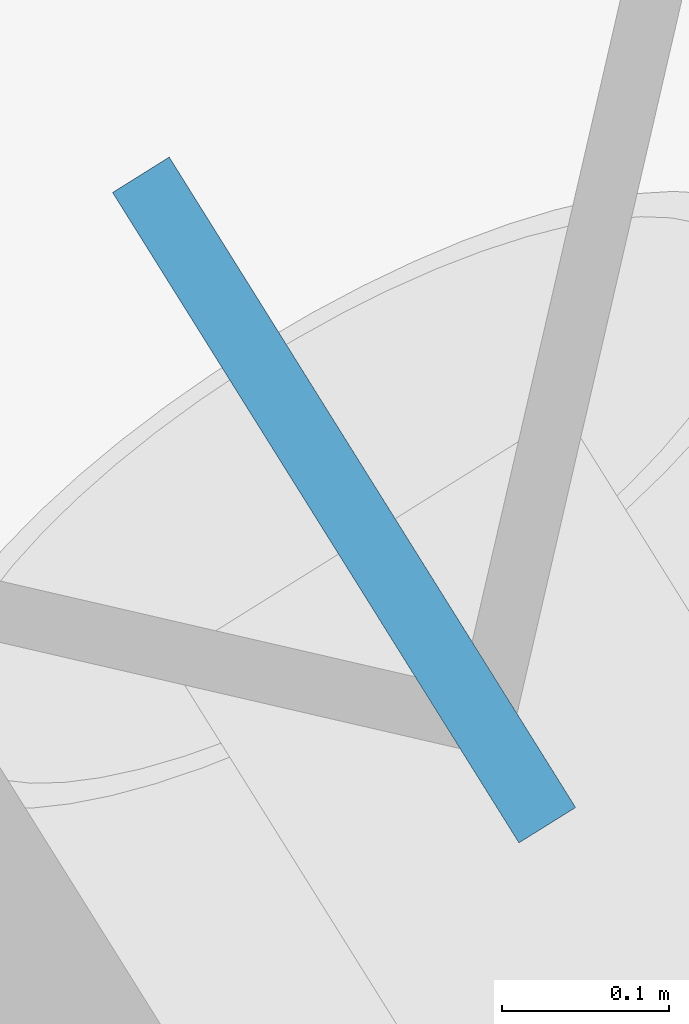
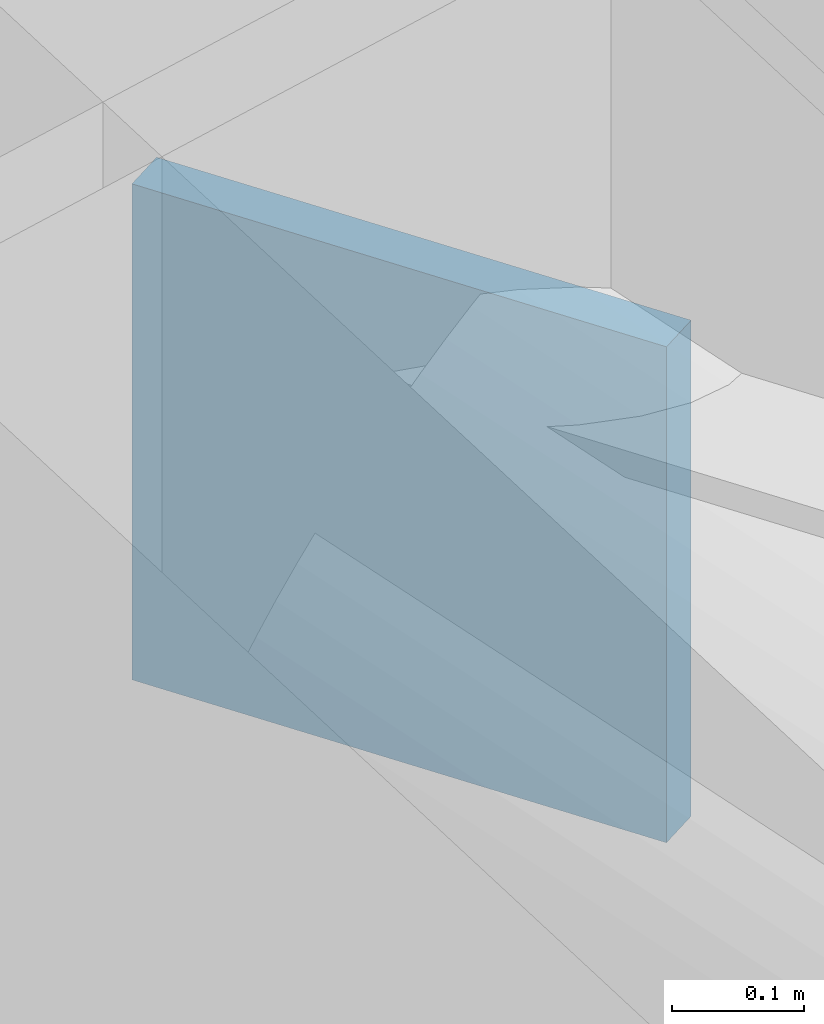
# One storey, part 22 of 23: 1 discrete accessory.
"""IFC4 building model written with IfcOpenShell, lengths in metres."""

from ifc_helpers import new_model, si_unit, direction, frame, origin, origin_2d, place, context, subcontext, project, spatial, rectangle, extrude, material, type_object, element, save


model = new_model("IFC4")

# Units and contexts
model_context = context("Model", 3, precision=1e-05, world=origin(), true_north=direction((0.0, 1.0)))
body_context = subcontext(model_context, "Body", "Model", "MODEL_VIEW")
ifc_project = project(units=[si_unit("LENGTHUNIT", "METRE"), si_unit("AREAUNIT", "SQUARE_METRE"), si_unit("VOLUMEUNIT", "CUBIC_METRE"), si_unit("PLANEANGLEUNIT", "RADIAN"), si_unit("MASSUNIT", "GRAM", prefix="KILO")], contexts=[model_context])

# Site, building, storey
site_placement = place(None, origin())
site = spatial("IfcSite", under=ifc_project, at=site_placement, CompositionType="ELEMENT")
building_placement = place(site_placement, origin())
building = spatial("IfcBuilding", under=site, at=building_placement, Name="Tavrogorsk Clinical Tower", CompositionType="ELEMENT")
storey_placement = place(building_placement, frame((0.0, 0.0, 63.39990234375)))
storey = spatial("IfcBuildingStorey", under=building, at=storey_placement, Name="L13", CompositionType="ELEMENT", Elevation=63.39990234375)

# Discrete accessory
ifc_material = material(Name="Structural steel S440", Category="steel")
discrete_accessory_type = type_object("IfcDiscreteAccessoryType", Name="GussetPlateBracket_25", PredefinedType="BRACKET", material=ifc_material)
discrete_accessory_placement = place(storey_placement, frame((36.65380859375, 14.481689453125, 2.667724609375), z_axis=(0.0, 0.0, 1.0), x_axis=(-0.529919264233, 0.848048096156, 0.0)))
element("IfcDiscreteAccessory", 1, at=discrete_accessory_placement, inside=storey, type_object=discrete_accessory_type, Name="L13 Brace Gusset Plate EXOCRN-L13-2-B", PredefinedType="BRACKET", context=body_context, shape_type="SweptSolid", body=[
    extrude(rectangle(XDim=0.4599609375, YDim=0.0400390625, at=origin_2d()), origin(), (0.0, 0.0, 1.0), 0.4599609375),
])

save(model, "model.ifc")
